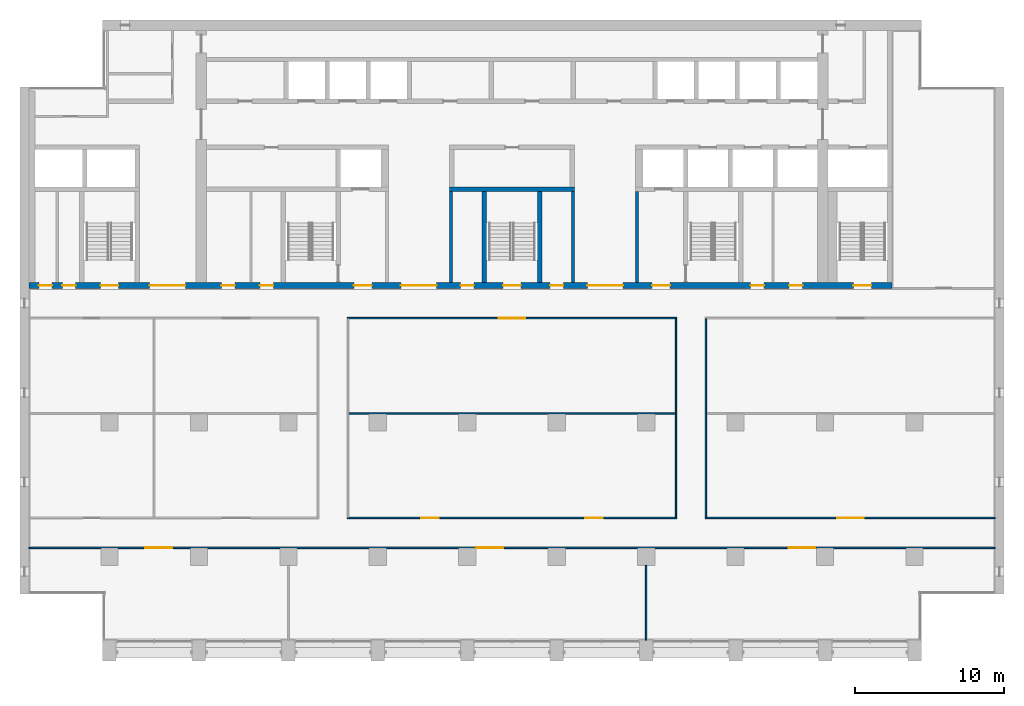
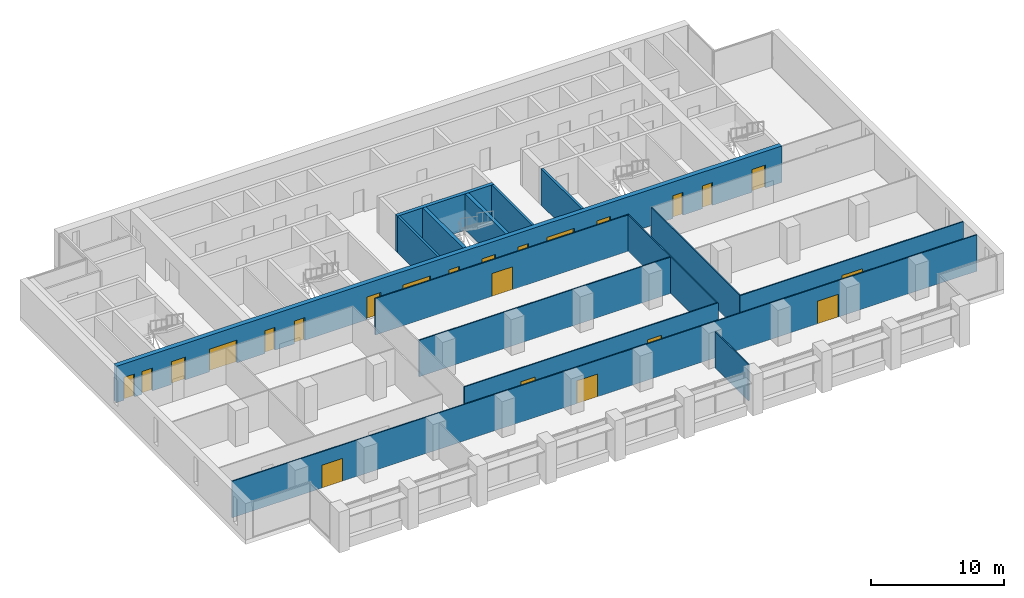
# One storey, part 9 of 16: 23 doors, 15 walls, 23 openings.
"""IFC4 building model written with IfcOpenShell, lengths in metres."""

from ifc_helpers import new_model, si_unit, direction, frame, frame_2d, origin, place, context, subcontext, project, spatial, rectangle, extrude, material, layer, layer_set, type_object, element, fill, save


model = new_model("IFC4")

# Units and contexts
model_context = context("Model", 3, precision=1e-05, world=origin(), true_north=direction((0.0, 1.0)))
body_context = subcontext(model_context, "Body", "Model", "MODEL_VIEW")
ifc_project = project(units=[si_unit("LENGTHUNIT", "METRE"), si_unit("AREAUNIT", "SQUARE_METRE"), si_unit("VOLUMEUNIT", "CUBIC_METRE"), si_unit("PLANEANGLEUNIT", "RADIAN"), si_unit("MASSUNIT", "GRAM", prefix="KILO")], contexts=[model_context])

# Site, building, storey
site_placement = place(None, origin())
site = spatial("IfcSite", under=ifc_project, at=site_placement, CompositionType="ELEMENT")
building_placement = place(site_placement, origin())
building = spatial("IfcBuilding", under=site, at=building_placement, Name="Calvaro Tower", CompositionType="ELEMENT")
storey_placement = place(building_placement, frame((0.0, 0.0, 181.75)))
storey = spatial("IfcBuildingStorey", under=building, at=storey_placement, Name="L45", CompositionType="ELEMENT", Elevation=181.75)

# Walls
ifc_material_1 = material(Name="Blockwork partition", Category="masonry")
ifc_layer_1 = layer(ifc_material_1, 0.199951171875)
ifc_layer_set_1 = layer_set([ifc_layer_1], Name="Blockwork partition")
wall_type_1 = type_object("IfcWallType", Name="Core partition 200 REI 120", PredefinedType="PARTITIONING", material=ifc_layer_set_1)
for number, where, z_axis, x_axis, name in (
    (1, (34.89990234375, 28.39990234375, 0.0), (0.0, 0.0, 1.0), (0.0, 1.0, 0.0), "Core partition"),
    (2, (43.10009765625, 28.39990234375, 0.0), (0.0, 0.0, 1.0), (0.0, 1.0, 0.0), "Core partition"),
    (3, (47.39990234375, 28.39990234375, 0.0), (0.0, 0.0, 1.0), (0.0, 1.0, 0.0), "Core partition"),
):
    element("IfcWall", number, at=place(storey_placement, frame(where, z_axis=z_axis, x_axis=x_axis)), inside=storey, type_object=wall_type_1, Name=name, PredefinedType="PARTITIONING", context=body_context, shape_type="SweptSolid", body=[
        extrude(rectangle(XDim=6.10009765625, YDim=0.199951171875, at=frame_2d((3.050048828125, 0.0))), origin(), (0.0, 0.0, 1.0), 3.35009765625),
    ])
ifc_material_2 = material(Name="Concrete C50/60", Category="concrete")
ifc_layer_2 = layer(ifc_material_2, 0.300048828125)
ifc_layer_set_2 = layer_set([ifc_layer_2], Name="Concrete C50/60")
wall_type_2 = type_object("IfcWallType", Name="Core wall C50/60 300", PredefinedType="SHEAR", material=ifc_layer_set_2)
for number, where, z_axis, x_axis, name in (
    (4, (37.14990234375, 28.39990234375, 0.0), (0.0, 0.0, 1.0), (0.0, 1.0, 0.0), "Core wall, stair enclosure"),
    (5, (40.85009765625, 28.39990234375, 0.0), (0.0, 0.0, 1.0), (0.0, 1.0, 0.0), "Core wall, stair enclosure"),
):
    element("IfcWall", number, at=place(storey_placement, frame(where, z_axis=z_axis, x_axis=x_axis)), inside=storey, type_object=wall_type_2, Name=name, PredefinedType="SHEAR", context=body_context, shape_type="SweptSolid", body=[
        extrude(rectangle(XDim=6.10009765625, YDim=0.300048828125, at=frame_2d((3.050048828125, 0.0))), origin(), (0.0, 0.0, 1.0), 3.35009765625),
    ])
wall_1_placement = place(storey_placement, frame((34.800048828125, 34.64990234375, 0.0), z_axis=(0.0, 0.0, 1.0), x_axis=(1.0, 0.0, 0.0)))
element("IfcWall", 6, at=wall_1_placement, inside=storey, type_object=wall_type_2, Name="Core wall, lift shaft", PredefinedType="SHEAR", context=body_context, shape_type="SweptSolid", body=[
    extrude(rectangle(XDim=8.39990234375, YDim=0.300048828125, at=frame_2d((4.199951171875, 0.0))), origin(), (0.0, 0.0, 1.0), 3.35009765625),
])

# Wall, openings, doors
ifc_material_3 = material(Name="Concrete C50/60", Category="concrete")
ifc_layer_3 = layer(ifc_material_3, 0.39990234375)
ifc_layer_set_3 = layer_set([ifc_layer_3], Name="Concrete C50/60")
wall_type_3 = type_object("IfcWallType", Name="Core wall C50/60 400", PredefinedType="SHEAR", material=ifc_layer_set_3)
wall_2_placement = place(storey_placement, frame((6.60009765625, 28.199951171875, 0.0), z_axis=(0.0, 0.0, 1.0), x_axis=(1.0, 0.0, 0.0)))
wall_2 = element("IfcWall", 7, at=wall_2_placement, inside=storey, type_object=wall_type_3, Name="Core wall, front", PredefinedType="SHEAR", context=body_context, shape_type="SweptSolid", body=[
    extrude(rectangle(XDim=57.89990234375, YDim=0.39990234375, at=frame_2d((28.949951171875, 0.0))), origin(), (0.0, 0.0, 1.0), 3.35009765625),
])
opening_1_placement = place(wall_2_placement, frame((12.91259765625, 0.0, 0.0)))
opening_1 = element("IfcOpeningElement", 8, at=opening_1_placement, cuts=wall_2, Name="Opening RD9E", PredefinedType="OPENING", context=body_context, shape_type="SweptSolid", body=[
    extrude(rectangle(XDim=0.89990234375, YDim=2.10009765625, at=frame_2d((0.449951171875, 1.050048828125))), frame((0.0, 0.2099609375, 0.0), z_axis=(0.0, -1.0, 0.0), x_axis=(1.0, 0.0, 0.0)), (0.0, 0.0, 1.0), 0.419921875),
])
opening_2_placement = place(wall_2_placement, frame((15.487548828125, 0.0, 0.0)))
opening_2 = element("IfcOpeningElement", 9, at=opening_2_placement, cuts=wall_2, Name="Opening RD9E", PredefinedType="OPENING", context=body_context, shape_type="SweptSolid", body=[
    extrude(rectangle(XDim=0.89990234375, YDim=2.10009765625, at=frame_2d((0.449951171875, 1.050048828125))), frame((0.0, 0.2099609375, 0.0), z_axis=(0.0, -1.0, 0.0), x_axis=(1.0, 0.0, 0.0)), (0.0, 0.0, 1.0), 0.419921875),
])
opening_3_placement = place(wall_2_placement, frame((48.41259765625, 0.0, 0.0)))
opening_3 = element("IfcOpeningElement", 10, at=opening_3_placement, cuts=wall_2, Name="Opening RD9E", PredefinedType="OPENING", context=body_context, shape_type="SweptSolid", body=[
    extrude(rectangle(XDim=0.89990234375, YDim=2.10009765625, at=frame_2d((0.449951171875, 1.050048828125))), frame((0.0, 0.2099609375, 0.0), z_axis=(0.0, -1.0, 0.0), x_axis=(1.0, 0.0, 0.0)), (0.0, 0.0, 1.0), 0.419921875),
])
opening_4_placement = place(wall_2_placement, frame((50.987548828125, 0.0, 0.0)))
opening_4 = element("IfcOpeningElement", 11, at=opening_4_placement, cuts=wall_2, Name="Opening RD9E", PredefinedType="OPENING", context=body_context, shape_type="SweptSolid", body=[
    extrude(rectangle(XDim=0.89990234375, YDim=2.10009765625, at=frame_2d((0.449951171875, 1.050048828125))), frame((0.0, 0.2099609375, 0.0), z_axis=(0.0, -1.0, 0.0), x_axis=(1.0, 0.0, 0.0)), (0.0, 0.0, 1.0), 0.419921875),
])
opening_5_placement = place(wall_2_placement, frame((0.66259765625, 0.0, 0.0)))
opening_5 = element("IfcOpeningElement", 12, at=opening_5_placement, cuts=wall_2, Name="Opening RD9E", PredefinedType="OPENING", context=body_context, shape_type="SweptSolid", body=[
    extrude(rectangle(XDim=0.89990234375, YDim=2.10009765625, at=frame_2d((0.449951171875, 1.050048828125))), frame((0.0, 0.2099609375, 0.0), z_axis=(0.0, -1.0, 0.0), x_axis=(1.0, 0.0, 0.0)), (0.0, 0.0, 1.0), 0.419921875),
])
opening_6_placement = place(wall_2_placement, frame((2.237548828125, 0.0, 0.0)))
opening_6 = element("IfcOpeningElement", 13, at=opening_6_placement, cuts=wall_2, Name="Opening RD9C", PredefinedType="OPENING", context=body_context, shape_type="SweptSolid", body=[
    extrude(rectangle(XDim=0.89990234375, YDim=2.10009765625, at=frame_2d((0.449951171875, 1.050048828125))), frame((0.0, 0.2099609375, 0.0), z_axis=(0.0, -1.0, 0.0), x_axis=(1.0, 0.0, 0.0)), (0.0, 0.0, 1.0), 0.419921875),
])
opening_7_placement = place(wall_2_placement, frame((4.800048828125, 0.0, 0.0)))
opening_7 = element("IfcOpeningElement", 14, at=opening_7_placement, cuts=wall_2, Name="Opening SD12D", PredefinedType="OPENING", context=body_context, shape_type="SweptSolid", body=[
    extrude(rectangle(XDim=1.199951171875, YDim=2.10009765625, at=frame_2d((0.60009765625, 1.050048828125))), frame((0.0, 0.2099609375, 0.0), z_axis=(0.0, -1.0, 0.0), x_axis=(1.0, 0.0, 0.0)), (0.0, 0.0, 1.0), 0.419921875),
])
opening_8_placement = place(wall_2_placement, frame((31.800048828125, 0.0, 0.0)))
opening_8 = element("IfcOpeningElement", 15, at=opening_8_placement, cuts=wall_2, Name="Opening SD12D", PredefinedType="OPENING", context=body_context, shape_type="SweptSolid", body=[
    extrude(rectangle(XDim=1.199951171875, YDim=2.10009765625, at=frame_2d((0.60009765625, 1.050048828125))), frame((0.0, 0.2099609375, 0.0), z_axis=(0.0, -1.0, 0.0), x_axis=(1.0, 0.0, 0.0)), (0.0, 0.0, 1.0), 0.419921875),
])
opening_9_placement = place(wall_2_placement, frame((55.300048828125, 0.0, 0.0)))
opening_9 = element("IfcOpeningElement", 16, at=opening_9_placement, cuts=wall_2, Name="Opening SD12D", PredefinedType="OPENING", context=body_context, shape_type="SweptSolid", body=[
    extrude(rectangle(XDim=1.199951171875, YDim=2.10009765625, at=frame_2d((0.60009765625, 1.050048828125))), frame((0.0, 0.2099609375, 0.0), z_axis=(0.0, -1.0, 0.0), x_axis=(1.0, 0.0, 0.0)), (0.0, 0.0, 1.0), 0.419921875),
])
opening_10_placement = place(wall_2_placement, frame((21.800048828125, 0.0, 0.0)))
opening_10 = element("IfcOpeningElement", 17, at=opening_10_placement, cuts=wall_2, Name="Opening FD12F", PredefinedType="OPENING", context=body_context, shape_type="SweptSolid", body=[
    extrude(rectangle(XDim=1.199951171875, YDim=2.10009765625, at=frame_2d((0.60009765625, 1.050048828125))), frame((0.0, 0.2099609375, 0.0), z_axis=(0.0, -1.0, 0.0), x_axis=(1.0, 0.0, 0.0)), (0.0, 0.0, 1.0), 0.419921875),
])
opening_11_placement = place(wall_2_placement, frame((41.800048828125, 0.0, 0.0)))
opening_11 = element("IfcOpeningElement", 18, at=opening_11_placement, cuts=wall_2, Name="Opening FD12F", PredefinedType="OPENING", context=body_context, shape_type="SweptSolid", body=[
    extrude(rectangle(XDim=1.199951171875, YDim=2.10009765625, at=frame_2d((0.60009765625, 1.050048828125))), frame((0.0, 0.2099609375, 0.0), z_axis=(0.0, -1.0, 0.0), x_axis=(1.0, 0.0, 0.0)), (0.0, 0.0, 1.0), 0.419921875),
])
opening_12_placement = place(wall_2_placement, frame((24.949951171875, 0.0, 0.0)))
opening_12 = element("IfcOpeningElement", 19, at=opening_12_placement, cuts=wall_2, Name="Opening DD24D", PredefinedType="OPENING", context=body_context, shape_type="SweptSolid", body=[
    extrude(rectangle(XDim=2.39990234375, YDim=2.10009765625, at=frame_2d((1.199951171875, 1.050048828125))), frame((0.0, 0.2099609375, 0.0), z_axis=(0.0, -1.0, 0.0), x_axis=(1.0, 0.0, 0.0)), (0.0, 0.0, 1.0), 0.419921875),
])
opening_13_placement = place(wall_2_placement, frame((37.449951171875, 0.0, 0.0)))
opening_13 = element("IfcOpeningElement", 20, at=opening_13_placement, cuts=wall_2, Name="Opening DD24D", PredefinedType="OPENING", context=body_context, shape_type="SweptSolid", body=[
    extrude(rectangle(XDim=2.39990234375, YDim=2.10009765625, at=frame_2d((1.199951171875, 1.050048828125))), frame((0.0, 0.2099609375, 0.0), z_axis=(0.0, -1.0, 0.0), x_axis=(1.0, 0.0, 0.0)), (0.0, 0.0, 1.0), 0.419921875),
])
opening_14_placement = place(wall_2_placement, frame((8.10009765625, 0.0, 0.0)))
opening_14 = element("IfcOpeningElement", 21, at=opening_14_placement, cuts=wall_2, Name="Opening DD24D", PredefinedType="OPENING", context=body_context, shape_type="SweptSolid", body=[
    extrude(rectangle(XDim=2.39990234375, YDim=2.10009765625, at=frame_2d((1.199951171875, 1.050048828125))), frame((0.0, 0.2099609375, 0.0), z_axis=(0.0, -1.0, 0.0), x_axis=(1.0, 0.0, 0.0)), (0.0, 0.0, 1.0), 0.419921875),
])
opening_15_placement = place(wall_2_placement, frame((28.949951171875, 0.0, 0.0)))
opening_15 = element("IfcOpeningElement", 22, at=opening_15_placement, cuts=wall_2, Name="Opening RD9E", PredefinedType="OPENING", context=body_context, shape_type="SweptSolid", body=[
    extrude(rectangle(XDim=0.89990234375, YDim=2.10009765625, at=frame_2d((0.449951171875, 1.050048828125))), frame((0.0, 0.2099609375, 0.0), z_axis=(0.0, -1.0, 0.0), x_axis=(1.0, 0.0, 0.0)), (0.0, 0.0, 1.0), 0.419921875),
])
opening_16_placement = place(wall_2_placement, frame((34.949951171875, 0.0, 0.0)))
opening_16 = element("IfcOpeningElement", 23, at=opening_16_placement, cuts=wall_2, Name="Opening RD9E", PredefinedType="OPENING", context=body_context, shape_type="SweptSolid", body=[
    extrude(rectangle(XDim=0.89990234375, YDim=2.10009765625, at=frame_2d((0.449951171875, 1.050048828125))), frame((0.0, 0.2099609375, 0.0), z_axis=(0.0, -1.0, 0.0), x_axis=(1.0, 0.0, 0.0)), (0.0, 0.0, 1.0), 0.419921875),
])
ifc_material_4 = material(Name="Steel door set", Category="steel")
door_type_1 = type_object("IfcDoorType", Name="Fire door 1200 FD60S", OperationType="SINGLE_SWING_LEFT", PredefinedType="DOOR", material=ifc_material_4)
door_1_placement = place(opening_10_placement, origin())
door_1 = element("IfcDoor", 24, at=door_1_placement, inside=storey, type_object=door_type_1, Name="Fire door", OperationType="SINGLE_SWING_LEFT", OverallHeight=2.10009765625, OverallWidth=1.199951171875, PredefinedType="DOOR", context=body_context, shape_type="SweptSolid", body=[
    extrude(rectangle(XDim=1.199951171875, YDim=2.10009765625, at=frame_2d((0.60009765625, 1.050048828125))), frame((0.0, 0.02490234375, 0.0), z_axis=(0.0, -1.0, 0.0), x_axis=(1.0, 0.0, 0.0)), (0.0, 0.0, 1.0), 0.050048828125),
])
fill(opening_10, door_1)
door_2_placement = place(opening_11_placement, origin())
door_2 = element("IfcDoor", 25, at=door_2_placement, inside=storey, type_object=door_type_1, Name="Fire door", OperationType="SINGLE_SWING_LEFT", OverallHeight=2.10009765625, OverallWidth=1.199951171875, PredefinedType="DOOR", context=body_context, shape_type="SweptSolid", body=[
    extrude(rectangle(XDim=1.199951171875, YDim=2.10009765625, at=frame_2d((0.60009765625, 1.050048828125))), frame((0.0, 0.02490234375, 0.0), z_axis=(0.0, -1.0, 0.0), x_axis=(1.0, 0.0, 0.0)), (0.0, 0.0, 1.0), 0.050048828125),
])
fill(opening_11, door_2)
ifc_material_5 = material(Name="Steel door set", Category="steel")
door_type_2 = type_object("IfcDoorType", Name="Lobby double door 2400 FD30S", OperationType="DOUBLE_DOOR_SINGLE_SWING", PredefinedType="DOOR", material=ifc_material_5)
door_3_placement = place(opening_12_placement, origin())
door_3 = element("IfcDoor", 26, at=door_3_placement, inside=storey, type_object=door_type_2, Name="Lobby double door", OperationType="DOUBLE_DOOR_SINGLE_SWING", OverallHeight=2.10009765625, OverallWidth=2.39990234375, PredefinedType="DOOR", context=body_context, shape_type="SweptSolid", body=[
    extrude(rectangle(XDim=2.39990234375, YDim=2.10009765625, at=frame_2d((1.199951171875, 1.050048828125))), frame((0.0, 0.02490234375, 0.0), z_axis=(0.0, -1.0, 0.0), x_axis=(1.0, 0.0, 0.0)), (0.0, 0.0, 1.0), 0.050048828125),
])
fill(opening_12, door_3)
door_4_placement = place(opening_13_placement, origin())
door_4 = element("IfcDoor", 27, at=door_4_placement, inside=storey, type_object=door_type_2, Name="Lobby double door", OperationType="DOUBLE_DOOR_SINGLE_SWING", OverallHeight=2.10009765625, OverallWidth=2.39990234375, PredefinedType="DOOR", context=body_context, shape_type="SweptSolid", body=[
    extrude(rectangle(XDim=2.39990234375, YDim=2.10009765625, at=frame_2d((1.199951171875, 1.050048828125))), frame((0.0, 0.02490234375, 0.0), z_axis=(0.0, -1.0, 0.0), x_axis=(1.0, 0.0, 0.0)), (0.0, 0.0, 1.0), 0.050048828125),
])
fill(opening_13, door_4)
door_5_placement = place(opening_14_placement, origin())
door_5 = element("IfcDoor", 28, at=door_5_placement, inside=storey, type_object=door_type_2, Name="Lobby double door", OperationType="DOUBLE_DOOR_SINGLE_SWING", OverallHeight=2.10009765625, OverallWidth=2.39990234375, PredefinedType="DOOR", context=body_context, shape_type="SweptSolid", body=[
    extrude(rectangle(XDim=2.39990234375, YDim=2.10009765625, at=frame_2d((1.199951171875, 1.050048828125))), frame((0.0, 0.02490234375, 0.0), z_axis=(0.0, -1.0, 0.0), x_axis=(1.0, 0.0, 0.0)), (0.0, 0.0, 1.0), 0.050048828125),
])
fill(opening_14, door_5)
ifc_material_6 = material(Name="Steel door set", Category="steel")
door_type_3 = type_object("IfcDoorType", Name="Room door 900 FD30", OperationType="SINGLE_SWING_LEFT", PredefinedType="DOOR", material=ifc_material_6)
door_6_placement = place(opening_6_placement, origin())
door_6 = element("IfcDoor", 29, at=door_6_placement, inside=storey, type_object=door_type_3, Name="Room door", OperationType="SINGLE_SWING_LEFT", OverallHeight=2.10009765625, OverallWidth=0.89990234375, PredefinedType="DOOR", context=body_context, shape_type="SweptSolid", body=[
    extrude(rectangle(XDim=0.89990234375, YDim=2.10009765625, at=frame_2d((0.449951171875, 1.050048828125))), frame((0.0, 0.02490234375, 0.0), z_axis=(0.0, -1.0, 0.0), x_axis=(1.0, 0.0, 0.0)), (0.0, 0.0, 1.0), 0.050048828125),
])
fill(opening_6, door_6)
ifc_material_7 = material(Name="Steel door set", Category="steel")
door_type_4 = type_object("IfcDoorType", Name="Room door 900 FD60", OperationType="SINGLE_SWING_LEFT", PredefinedType="DOOR", material=ifc_material_7)
door_7_placement = place(opening_1_placement, origin())
door_7 = element("IfcDoor", 30, at=door_7_placement, inside=storey, type_object=door_type_4, Name="Room door", OperationType="SINGLE_SWING_LEFT", OverallHeight=2.10009765625, OverallWidth=0.89990234375, PredefinedType="DOOR", context=body_context, shape_type="SweptSolid", body=[
    extrude(rectangle(XDim=0.89990234375, YDim=2.10009765625, at=frame_2d((0.449951171875, 1.050048828125))), frame((0.0, 0.02490234375, 0.0), z_axis=(0.0, -1.0, 0.0), x_axis=(1.0, 0.0, 0.0)), (0.0, 0.0, 1.0), 0.050048828125),
])
fill(opening_1, door_7)
door_8_placement = place(opening_2_placement, origin())
door_8 = element("IfcDoor", 31, at=door_8_placement, inside=storey, type_object=door_type_4, Name="Room door", OperationType="SINGLE_SWING_RIGHT", OverallHeight=2.10009765625, OverallWidth=0.89990234375, PredefinedType="DOOR", context=body_context, shape_type="SweptSolid", body=[
    extrude(rectangle(XDim=0.89990234375, YDim=2.10009765625, at=frame_2d((0.449951171875, 1.050048828125))), frame((0.0, 0.02490234375, 0.0), z_axis=(0.0, -1.0, 0.0), x_axis=(1.0, 0.0, 0.0)), (0.0, 0.0, 1.0), 0.050048828125),
])
fill(opening_2, door_8)
door_9_placement = place(opening_3_placement, origin())
door_9 = element("IfcDoor", 32, at=door_9_placement, inside=storey, type_object=door_type_4, Name="Room door", OperationType="SINGLE_SWING_LEFT", OverallHeight=2.10009765625, OverallWidth=0.89990234375, PredefinedType="DOOR", context=body_context, shape_type="SweptSolid", body=[
    extrude(rectangle(XDim=0.89990234375, YDim=2.10009765625, at=frame_2d((0.449951171875, 1.050048828125))), frame((0.0, 0.02490234375, 0.0), z_axis=(0.0, -1.0, 0.0), x_axis=(1.0, 0.0, 0.0)), (0.0, 0.0, 1.0), 0.050048828125),
])
fill(opening_3, door_9)
door_10_placement = place(opening_4_placement, origin())
door_10 = element("IfcDoor", 33, at=door_10_placement, inside=storey, type_object=door_type_4, Name="Room door", OperationType="SINGLE_SWING_LEFT", OverallHeight=2.10009765625, OverallWidth=0.89990234375, PredefinedType="DOOR", context=body_context, shape_type="SweptSolid", body=[
    extrude(rectangle(XDim=0.89990234375, YDim=2.10009765625, at=frame_2d((0.449951171875, 1.050048828125))), frame((0.0, 0.02490234375, 0.0), z_axis=(0.0, -1.0, 0.0), x_axis=(1.0, 0.0, 0.0)), (0.0, 0.0, 1.0), 0.050048828125),
])
fill(opening_4, door_10)
door_11_placement = place(opening_5_placement, origin())
door_11 = element("IfcDoor", 34, at=door_11_placement, inside=storey, type_object=door_type_4, Name="Room door", OperationType="SINGLE_SWING_LEFT", OverallHeight=2.10009765625, OverallWidth=0.89990234375, PredefinedType="DOOR", context=body_context, shape_type="SweptSolid", body=[
    extrude(rectangle(XDim=0.89990234375, YDim=2.10009765625, at=frame_2d((0.449951171875, 1.050048828125))), frame((0.0, 0.02490234375, 0.0), z_axis=(0.0, -1.0, 0.0), x_axis=(1.0, 0.0, 0.0)), (0.0, 0.0, 1.0), 0.050048828125),
])
fill(opening_5, door_11)
door_12_placement = place(opening_15_placement, origin())
door_12 = element("IfcDoor", 35, at=door_12_placement, inside=storey, type_object=door_type_4, Name="Room door", OperationType="SINGLE_SWING_LEFT", OverallHeight=2.10009765625, OverallWidth=0.89990234375, PredefinedType="DOOR", context=body_context, shape_type="SweptSolid", body=[
    extrude(rectangle(XDim=0.89990234375, YDim=2.10009765625, at=frame_2d((0.449951171875, 1.050048828125))), frame((0.0, 0.02490234375, 0.0), z_axis=(0.0, -1.0, 0.0), x_axis=(1.0, 0.0, 0.0)), (0.0, 0.0, 1.0), 0.050048828125),
])
fill(opening_15, door_12)
door_13_placement = place(opening_16_placement, origin())
door_13 = element("IfcDoor", 36, at=door_13_placement, inside=storey, type_object=door_type_4, Name="Room door", OperationType="SINGLE_SWING_LEFT", OverallHeight=2.10009765625, OverallWidth=0.89990234375, PredefinedType="DOOR", context=body_context, shape_type="SweptSolid", body=[
    extrude(rectangle(XDim=0.89990234375, YDim=2.10009765625, at=frame_2d((0.449951171875, 1.050048828125))), frame((0.0, 0.02490234375, 0.0), z_axis=(0.0, -1.0, 0.0), x_axis=(1.0, 0.0, 0.0)), (0.0, 0.0, 1.0), 0.050048828125),
])
fill(opening_16, door_13)
ifc_material_8 = material(Name="Steel door set", Category="steel")
door_type_5 = type_object("IfcDoorType", Name="Stair door 1200 FD30S", OperationType="SINGLE_SWING_LEFT", PredefinedType="DOOR", material=ifc_material_8)
door_14_placement = place(opening_7_placement, origin())
door_14 = element("IfcDoor", 37, at=door_14_placement, inside=storey, type_object=door_type_5, Name="Stair door", OperationType="SINGLE_SWING_LEFT", OverallHeight=2.10009765625, OverallWidth=1.199951171875, PredefinedType="DOOR", context=body_context, shape_type="SweptSolid", body=[
    extrude(rectangle(XDim=1.199951171875, YDim=2.10009765625, at=frame_2d((0.60009765625, 1.050048828125))), frame((0.0, 0.02490234375, 0.0), z_axis=(0.0, -1.0, 0.0), x_axis=(1.0, 0.0, 0.0)), (0.0, 0.0, 1.0), 0.050048828125),
])
fill(opening_7, door_14)
door_15_placement = place(opening_8_placement, origin())
door_15 = element("IfcDoor", 38, at=door_15_placement, inside=storey, type_object=door_type_5, Name="Stair door", OperationType="SINGLE_SWING_LEFT", OverallHeight=2.10009765625, OverallWidth=1.199951171875, PredefinedType="DOOR", context=body_context, shape_type="SweptSolid", body=[
    extrude(rectangle(XDim=1.199951171875, YDim=2.10009765625, at=frame_2d((0.60009765625, 1.050048828125))), frame((0.0, 0.02490234375, 0.0), z_axis=(0.0, -1.0, 0.0), x_axis=(1.0, 0.0, 0.0)), (0.0, 0.0, 1.0), 0.050048828125),
])
fill(opening_8, door_15)
door_16_placement = place(opening_9_placement, origin())
door_16 = element("IfcDoor", 39, at=door_16_placement, inside=storey, type_object=door_type_5, Name="Stair door", OperationType="SINGLE_SWING_LEFT", OverallHeight=2.10009765625, OverallWidth=1.199951171875, PredefinedType="DOOR", context=body_context, shape_type="SweptSolid", body=[
    extrude(rectangle(XDim=1.199951171875, YDim=2.10009765625, at=frame_2d((0.60009765625, 1.050048828125))), frame((0.0, 0.02490234375, 0.0), z_axis=(0.0, -1.0, 0.0), x_axis=(1.0, 0.0, 0.0)), (0.0, 0.0, 1.0), 0.050048828125),
])
fill(opening_9, door_16)

ifc_material_9 = material(Name="Plasterboard on steel studs", Category="steel")
ifc_layer_4 = layer(ifc_material_9, 0.10009765625)
ifc_layer_set_4 = layer_set([ifc_layer_4], Name="Plasterboard on steel studs")
wall_type_4 = type_object("IfcWallType", Name="Partition 100", PredefinedType="PARTITIONING", material=ifc_layer_set_4)
wall_3_placement = place(storey_placement, frame((6.60009765625, 10.60009765625, 0.0), z_axis=(0.0, 0.0, 1.0), x_axis=(1.0, 0.0, 0.0)))
wall_3 = element("IfcWall", 40, at=wall_3_placement, inside=storey, type_object=wall_type_4, Name="Partition T26.W001", PredefinedType="PARTITIONING", context=body_context, shape_type="SweptSolid", body=[
    extrude(rectangle(XDim=64.7998046875, YDim=0.10009765625, at=frame_2d((32.39990234375, 0.0))), origin(), (0.0, 0.0, 1.0), 3.35009765625),
])
opening_17_placement = place(wall_3_placement, frame((30.0, 0.0, 0.0)))
opening_17 = element("IfcOpeningElement", 41, at=opening_17_placement, cuts=wall_3, Name="Opening T26.001", PredefinedType="OPENING", context=body_context, shape_type="SweptSolid", body=[
    extrude(rectangle(XDim=1.800048828125, YDim=2.10009765625, at=frame_2d((0.89990234375, 1.050048828125))), frame((0.0, 0.06005859375, 0.0), z_axis=(0.0, -1.0, 0.0), x_axis=(1.0, 0.0, 0.0)), (0.0, 0.0, 1.0), 0.1201171875),
])
opening_18_placement = place(wall_3_placement, frame((50.949951171875, 0.0, 0.0)))
opening_18 = element("IfcOpeningElement", 42, at=opening_18_placement, cuts=wall_3, Name="Opening T26.002", PredefinedType="OPENING", context=body_context, shape_type="SweptSolid", body=[
    extrude(rectangle(XDim=1.800048828125, YDim=2.10009765625, at=frame_2d((0.89990234375, 1.050048828125))), frame((0.0, 0.06005859375, 0.0), z_axis=(0.0, -1.0, 0.0), x_axis=(1.0, 0.0, 0.0)), (0.0, 0.0, 1.0), 0.1201171875),
])
opening_19_placement = place(wall_3_placement, frame((7.800048828125, 0.0, 0.0)))
opening_19 = element("IfcOpeningElement", 43, at=opening_19_placement, cuts=wall_3, Name="Opening T26.003", PredefinedType="OPENING", context=body_context, shape_type="SweptSolid", body=[
    extrude(rectangle(XDim=1.800048828125, YDim=2.10009765625, at=frame_2d((0.89990234375, 1.050048828125))), frame((0.0, 0.06005859375, 0.0), z_axis=(0.0, -1.0, 0.0), x_axis=(1.0, 0.0, 0.0)), (0.0, 0.0, 1.0), 0.1201171875),
])
ifc_material_10 = material(Name="Timber", Category="wood")
door_type_6 = type_object("IfcDoorType", Name="Internal double door 1800 x 2100", OperationType="DOUBLE_DOOR_SINGLE_SWING", PredefinedType="DOOR", material=ifc_material_10)
door_17_placement = place(opening_17_placement, origin())
door_17 = element("IfcDoor", 44, at=door_17_placement, inside=storey, type_object=door_type_6, Name="Door T26.001", OperationType="DOUBLE_DOOR_SINGLE_SWING", OverallHeight=2.10009765625, OverallWidth=1.800048828125, PredefinedType="DOOR", context=body_context, shape_type="SweptSolid", body=[
    extrude(rectangle(XDim=1.800048828125, YDim=2.10009765625, at=frame_2d((0.89990234375, 1.050048828125))), frame((0.0, 0.02490234375, 0.0), z_axis=(0.0, -1.0, 0.0), x_axis=(1.0, 0.0, 0.0)), (0.0, 0.0, 1.0), 0.050048828125),
])
fill(opening_17, door_17)
door_18_placement = place(opening_18_placement, origin())
door_18 = element("IfcDoor", 45, at=door_18_placement, inside=storey, type_object=door_type_6, Name="Door T26.002", OperationType="DOUBLE_DOOR_SINGLE_SWING", OverallHeight=2.10009765625, OverallWidth=1.800048828125, PredefinedType="DOOR", context=body_context, shape_type="SweptSolid", body=[
    extrude(rectangle(XDim=1.800048828125, YDim=2.10009765625, at=frame_2d((0.89990234375, 1.050048828125))), frame((0.0, 0.02490234375, 0.0), z_axis=(0.0, -1.0, 0.0), x_axis=(1.0, 0.0, 0.0)), (0.0, 0.0, 1.0), 0.050048828125),
])
fill(opening_18, door_18)
door_19_placement = place(opening_19_placement, origin())
door_19 = element("IfcDoor", 46, at=door_19_placement, inside=storey, type_object=door_type_6, Name="Door T26.003", OperationType="DOUBLE_DOOR_SINGLE_SWING", OverallHeight=2.10009765625, OverallWidth=1.800048828125, PredefinedType="DOOR", context=body_context, shape_type="SweptSolid", body=[
    extrude(rectangle(XDim=1.800048828125, YDim=2.10009765625, at=frame_2d((0.89990234375, 1.050048828125))), frame((0.0, 0.02490234375, 0.0), z_axis=(0.0, -1.0, 0.0), x_axis=(1.0, 0.0, 0.0)), (0.0, 0.0, 1.0), 0.050048828125),
])
fill(opening_19, door_19)

wall_4_placement = place(storey_placement, frame((27.949951171875, 12.60009765625, 0.0), z_axis=(0.0, 0.0, 1.0), x_axis=(1.0, 0.0, 0.0)))
wall_4 = element("IfcWall", 47, at=wall_4_placement, inside=storey, type_object=wall_type_4, Name="Partition T26.W003", PredefinedType="PARTITIONING", context=body_context, shape_type="SweptSolid", body=[
    extrude(rectangle(XDim=22.10009765625, YDim=0.10009765625, at=frame_2d((11.050048828125, 0.0))), origin(), (0.0, 0.0, 1.0), 3.35009765625),
])
opening_20_placement = place(wall_4_placement, frame((4.949951171875, 0.0, 0.0)))
opening_20 = element("IfcOpeningElement", 48, at=opening_20_placement, cuts=wall_4, Name="Opening T26.006", PredefinedType="OPENING", context=body_context, shape_type="SweptSolid", body=[
    extrude(rectangle(XDim=1.199951171875, YDim=2.10009765625, at=frame_2d((0.60009765625, 1.050048828125))), frame((0.0, 0.06005859375, 0.0), z_axis=(0.0, -1.0, 0.0), x_axis=(1.0, 0.0, 0.0)), (0.0, 0.0, 1.0), 0.1201171875),
])
opening_21_placement = place(wall_4_placement, frame((15.949951171875, 0.0, 0.0)))
opening_21 = element("IfcOpeningElement", 49, at=opening_21_placement, cuts=wall_4, Name="Opening T26.007", PredefinedType="OPENING", context=body_context, shape_type="SweptSolid", body=[
    extrude(rectangle(XDim=1.199951171875, YDim=2.10009765625, at=frame_2d((0.60009765625, 1.050048828125))), frame((0.0, 0.06005859375, 0.0), z_axis=(0.0, -1.0, 0.0), x_axis=(1.0, 0.0, 0.0)), (0.0, 0.0, 1.0), 0.1201171875),
])
ifc_material_11 = material(Name="Timber", Category="wood")
door_type_7 = type_object("IfcDoorType", Name="Internal single door 1200 x 2100", OperationType="SINGLE_SWING_LEFT", PredefinedType="DOOR", material=ifc_material_11)
door_20_placement = place(opening_20_placement, origin())
door_20 = element("IfcDoor", 50, at=door_20_placement, inside=storey, type_object=door_type_7, Name="Door T26.006", OperationType="SINGLE_SWING_LEFT", OverallHeight=2.10009765625, OverallWidth=1.199951171875, PredefinedType="DOOR", context=body_context, shape_type="SweptSolid", body=[
    extrude(rectangle(XDim=1.199951171875, YDim=2.10009765625, at=frame_2d((0.60009765625, 1.050048828125))), frame((0.0, 0.02490234375, 0.0), z_axis=(0.0, -1.0, 0.0), x_axis=(1.0, 0.0, 0.0)), (0.0, 0.0, 1.0), 0.050048828125),
])
fill(opening_20, door_20)
door_21_placement = place(opening_21_placement, origin())
door_21 = element("IfcDoor", 51, at=door_21_placement, inside=storey, type_object=door_type_7, Name="Door T26.007", OperationType="SINGLE_SWING_RIGHT", OverallHeight=2.10009765625, OverallWidth=1.199951171875, PredefinedType="DOOR", context=body_context, shape_type="SweptSolid", body=[
    extrude(rectangle(XDim=1.199951171875, YDim=2.10009765625, at=frame_2d((0.60009765625, 1.050048828125))), frame((0.0, 0.02490234375, 0.0), z_axis=(0.0, -1.0, 0.0), x_axis=(1.0, 0.0, 0.0)), (0.0, 0.0, 1.0), 0.050048828125),
])
fill(opening_21, door_21)

# Wall, opening, door
wall_5_placement = place(storey_placement, frame((51.949951171875, 12.60009765625, 0.0), z_axis=(0.0, 0.0, 1.0), x_axis=(1.0, 0.0, 0.0)))
wall_5 = element("IfcWall", 52, at=wall_5_placement, inside=storey, type_object=wall_type_4, Name="Partition T26.W004", PredefinedType="PARTITIONING", context=body_context, shape_type="SweptSolid", body=[
    extrude(rectangle(XDim=19.449951171875, YDim=0.10009765625, at=frame_2d((9.72509765625, 0.0))), origin(), (0.0, 0.0, 1.0), 3.35009765625),
])
opening_22_placement = place(wall_5_placement, frame((8.85009765625, 0.0, 0.0)))
opening_22 = element("IfcOpeningElement", 53, at=opening_22_placement, cuts=wall_5, Name="Opening T26.008", PredefinedType="OPENING", context=body_context, shape_type="SweptSolid", body=[
    extrude(rectangle(XDim=1.800048828125, YDim=2.10009765625, at=frame_2d((0.89990234375, 1.050048828125))), frame((0.0, 0.06005859375, 0.0), z_axis=(0.0, -1.0, 0.0), x_axis=(1.0, 0.0, 0.0)), (0.0, 0.0, 1.0), 0.1201171875),
])
door_22_placement = place(opening_22_placement, origin())
door_22 = element("IfcDoor", 54, at=door_22_placement, inside=storey, type_object=door_type_6, Name="Door T26.008", OperationType="DOUBLE_DOOR_SINGLE_SWING", OverallHeight=2.10009765625, OverallWidth=1.800048828125, PredefinedType="DOOR", context=body_context, shape_type="SweptSolid", body=[
    extrude(rectangle(XDim=1.800048828125, YDim=2.10009765625, at=frame_2d((0.89990234375, 1.050048828125))), frame((0.0, 0.02490234375, 0.0), z_axis=(0.0, -1.0, 0.0), x_axis=(1.0, 0.0, 0.0)), (0.0, 0.0, 1.0), 0.050048828125),
])
fill(opening_22, door_22)

# Wall
wall_6_placement = place(storey_placement, frame((28.050048828125, 19.60009765625, 0.0), z_axis=(0.0, 0.0, 1.0), x_axis=(1.0, 0.0, 0.0)))
element("IfcWall", 55, at=wall_6_placement, inside=storey, type_object=wall_type_4, Name="Partition T26.W006", PredefinedType="PARTITIONING", context=body_context, shape_type="SweptSolid", body=[
    extrude(rectangle(XDim=21.89990234375, YDim=0.10009765625, at=frame_2d((10.949951171875, 0.0))), origin(), (0.0, 0.0, 1.0), 3.35009765625),
])

# Wall, opening, door
wall_7_placement = place(storey_placement, frame((27.949951171875, 26.0, 0.0), z_axis=(0.0, 0.0, 1.0), x_axis=(1.0, 0.0, 0.0)))
wall_7 = element("IfcWall", 56, at=wall_7_placement, inside=storey, type_object=wall_type_4, Name="Partition T26.W009", PredefinedType="PARTITIONING", context=body_context, shape_type="SweptSolid", body=[
    extrude(rectangle(XDim=22.10009765625, YDim=0.10009765625, at=frame_2d((11.050048828125, 0.0))), origin(), (0.0, 0.0, 1.0), 3.35009765625),
])
opening_23_placement = place(wall_7_placement, frame((10.14990234375, 0.0, 0.0)))
opening_23 = element("IfcOpeningElement", 57, at=opening_23_placement, cuts=wall_7, Name="Opening T26.011", PredefinedType="OPENING", context=body_context, shape_type="SweptSolid", body=[
    extrude(rectangle(XDim=1.800048828125, YDim=2.10009765625, at=frame_2d((0.89990234375, 1.050048828125))), frame((0.0, 0.06005859375, 0.0), z_axis=(0.0, -1.0, 0.0), x_axis=(1.0, 0.0, 0.0)), (0.0, 0.0, 1.0), 0.1201171875),
])
door_23_placement = place(opening_23_placement, origin())
door_23 = element("IfcDoor", 58, at=door_23_placement, inside=storey, type_object=door_type_6, Name="Door T26.011", OperationType="DOUBLE_DOOR_SINGLE_SWING", OverallHeight=2.10009765625, OverallWidth=1.800048828125, PredefinedType="DOOR", context=body_context, shape_type="SweptSolid", body=[
    extrude(rectangle(XDim=1.800048828125, YDim=2.10009765625, at=frame_2d((0.89990234375, 1.050048828125))), frame((0.0, 0.02490234375, 0.0), z_axis=(0.0, -1.0, 0.0), x_axis=(1.0, 0.0, 0.0)), (0.0, 0.0, 1.0), 0.050048828125),
])
fill(opening_23, door_23)

# Walls
wall_8_placement = place(storey_placement, frame((48.0, 4.39990234375, 0.0), z_axis=(0.0, 0.0, 1.0), x_axis=(0.0, 1.0, 0.0)))
element("IfcWall", 59, at=wall_8_placement, inside=storey, type_object=wall_type_4, Name="Partition T26.W017", PredefinedType="PARTITIONING", context=body_context, shape_type="SweptSolid", body=[
    extrude(rectangle(XDim=5.025146484375, YDim=0.10009765625, at=frame_2d((2.5126953125, 0.0))), origin(), (0.0, 0.0, 1.0), 3.35009765625),
])
for number, where, z_axis, x_axis, name in (
    (60, (50.0, 12.64990234375, 0.0), (0.0, 0.0, 1.0), (0.0, 1.0, 0.0), "Partition T26.W018"),
    (61, (52.0, 12.64990234375, 0.0), (0.0, 0.0, 1.0), (0.0, 1.0, 0.0), "Partition T26.W019"),
):
    element("IfcWall", number, at=place(storey_placement, frame(where, z_axis=z_axis, x_axis=x_axis)), inside=storey, type_object=wall_type_4, Name=name, PredefinedType="PARTITIONING", context=body_context, shape_type="SweptSolid", body=[
        extrude(rectangle(XDim=13.300048828125, YDim=0.10009765625, at=frame_2d((6.64990234375, 0.0))), origin(), (0.0, 0.0, 1.0), 3.35009765625),
    ])

save(model, "model.ifc")
